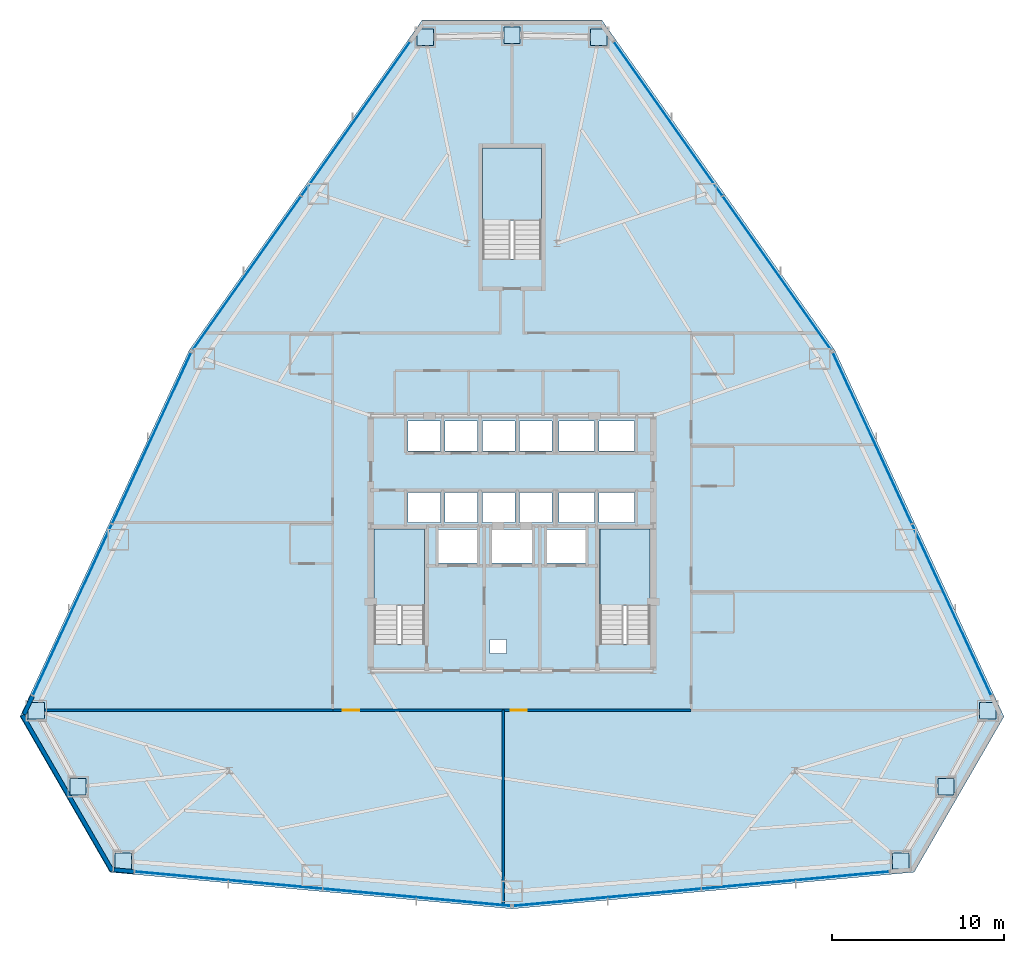
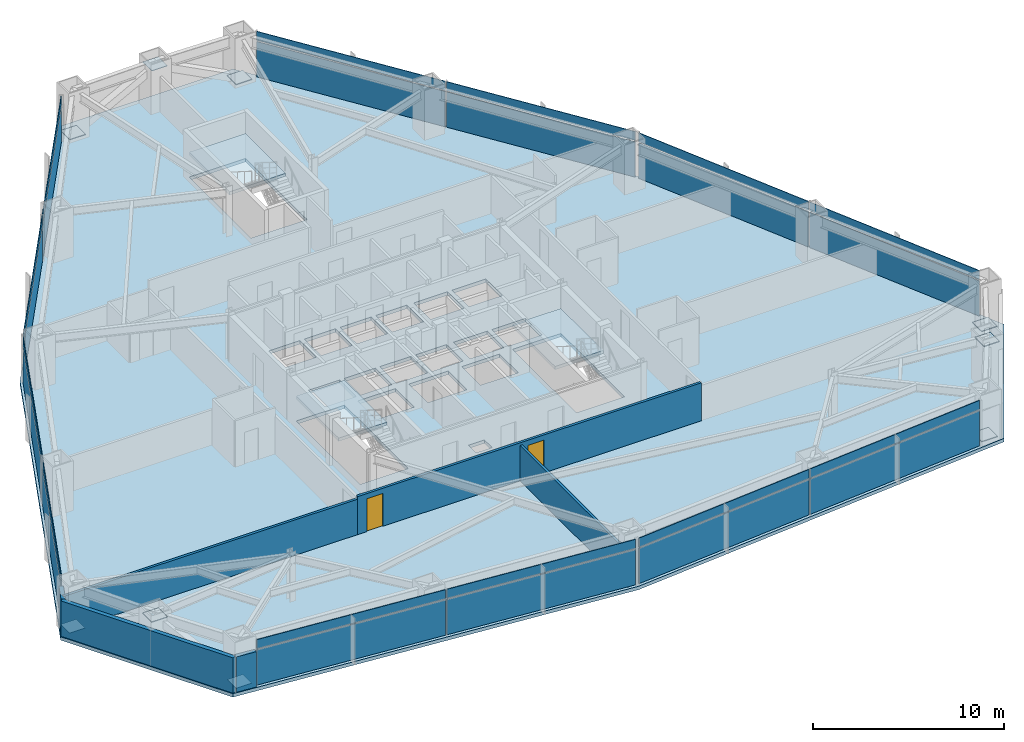
# One storey, part 8 of 12: 33 plates, 6 walls, 4 slabs, 2 doors, 2 openings, 9 elements without a shape of their own.
"""IFC4 building model written with IfcOpenShell, lengths in metres."""

from ifc_helpers import new_model, si_unit, direction, frame, frame_2d, origin, origin_2d, place, context, subcontext, project, spatial, polyline, rectangle, outline, extrude, source, transform, mapped, material, layer, layer_set, type_object, type_shapes, element, fill, aggregate, save


model = new_model("IFC4")

# Units and contexts
model_context = context("Model", 3, precision=1e-05, world=origin(), true_north=direction((0.0, 1.0)))
body_context = subcontext(model_context, "Body", "Model", "MODEL_VIEW")
ifc_project = project(units=[si_unit("LENGTHUNIT", "METRE"), si_unit("AREAUNIT", "SQUARE_METRE"), si_unit("VOLUMEUNIT", "CUBIC_METRE"), si_unit("PLANEANGLEUNIT", "RADIAN"), si_unit("MASSUNIT", "GRAM", prefix="KILO")], contexts=[model_context])

# Site, building, storey
site_placement = place(None, origin())
site = spatial("IfcSite", under=ifc_project, at=site_placement, CompositionType="ELEMENT")
building_placement = place(site_placement, origin())
building = spatial("IfcBuilding", under=site, at=building_placement, Name="Varakhsha Concourse Tower", CompositionType="ELEMENT")
storey_placement = place(building_placement, frame((0.0, 0.0, 40.0)))
storey = spatial("IfcBuildingStorey", under=building, at=storey_placement, Name="L10", CompositionType="ELEMENT", Elevation=40.0)

# Slab
ifc_material_1 = material(Name="Concrete fc 45 MPa", Category="concrete")
ifc_layer_1 = layer(ifc_material_1, 0.219970703125, Name="SL-FLR-220")
ifc_layer_set_1 = layer_set([ifc_layer_1], Name="Concrete fc 45 MPa")
slab_type_1 = type_object("IfcSlabType", Name="SL-FLR-220", PredefinedType="FLOOR", material=ifc_layer_set_1)
slab_1_placement = place(storey_placement, frame((0.0, 0.0, -0.219970703125)))
element("IfcSlab", 1, at=slab_1_placement, inside=storey, type_object=slab_type_1, Name="L10 Composite Structural Slab", PredefinedType="FLOOR", context=body_context, shape_type="SweptSolid", body=[
    extrude(outline(polyline([(45.21435546875, 54.168701171875), (34.78564453125, 54.168701171875), (21.268310546875, 35.0146484375), (11.439208984375, 13.7314453125), (16.653564453125, 4.699951171875), (40.0, 2.570556640625), (63.346435546875, 4.699951171875), (68.560791015625, 13.7314453125), (58.731689453125, 35.0146484375), (45.21435546875, 54.168701171875)]), holes=[polyline([(34.919921875, 17.93994140625), (34.919921875, 24.6298828125), (32.0, 24.6298828125), (32.0, 17.93994140625), (34.919921875, 17.93994140625)]), polyline([(48.02001953125, 17.93994140625), (48.02001953125, 24.6298828125), (45.10009765625, 24.6298828125), (45.10009765625, 17.93994140625), (48.02001953125, 17.93994140625)]), polyline([(41.699951171875, 40.300048828125), (41.699951171875, 46.75), (38.300048828125, 46.75), (38.300048828125, 40.300048828125), (41.699951171875, 40.300048828125)]), polyline([(33.9599609375, 29.159912109375), (35.840087890625, 29.159912109375), (35.840087890625, 30.89990234375), (33.9599609375, 30.89990234375), (33.9599609375, 29.159912109375)]), polyline([(36.1201171875, 29.159912109375), (38.0, 29.159912109375), (38.0, 30.89990234375), (36.1201171875, 30.89990234375), (36.1201171875, 29.159912109375)]), polyline([(38.280029296875, 29.159912109375), (40.159912109375, 29.159912109375), (40.159912109375, 30.89990234375), (38.280029296875, 30.89990234375), (38.280029296875, 29.159912109375)]), polyline([(40.43994140625, 29.159912109375), (42.320068359375, 29.159912109375), (42.320068359375, 30.89990234375), (40.43994140625, 30.89990234375), (40.43994140625, 29.159912109375)]), polyline([(33.9599609375, 25.0), (35.840087890625, 25.0), (35.840087890625, 26.739990234375), (33.9599609375, 26.739990234375), (33.9599609375, 25.0)]), polyline([(36.1201171875, 25.0), (38.0, 25.0), (38.0, 26.739990234375), (36.1201171875, 26.739990234375), (36.1201171875, 25.0)]), polyline([(38.280029296875, 25.0), (40.159912109375, 25.0), (40.159912109375, 26.739990234375), (38.280029296875, 26.739990234375), (38.280029296875, 25.0)]), polyline([(40.43994140625, 25.0), (42.320068359375, 25.0), (42.320068359375, 26.739990234375), (40.43994140625, 26.739990234375), (40.43994140625, 25.0)]), polyline([(42.739990234375, 29.159912109375), (44.780029296875, 29.159912109375), (44.780029296875, 30.89990234375), (42.739990234375, 30.89990234375), (42.739990234375, 29.159912109375)]), polyline([(45.06005859375, 29.159912109375), (47.10009765625, 29.159912109375), (47.10009765625, 30.89990234375), (45.06005859375, 30.89990234375), (45.06005859375, 29.159912109375)]), polyline([(42.739990234375, 25.0), (44.780029296875, 25.0), (44.780029296875, 26.739990234375), (42.739990234375, 26.739990234375), (42.739990234375, 25.0)]), polyline([(45.06005859375, 25.0), (47.10009765625, 25.0), (47.10009765625, 26.739990234375), (45.06005859375, 26.739990234375), (45.06005859375, 25.0)]), polyline([(35.7099609375, 22.639892578125), (37.989990234375, 22.639892578125), (37.989990234375, 24.60009765625), (35.7099609375, 24.60009765625), (35.7099609375, 22.639892578125)]), polyline([(42.010009765625, 22.639892578125), (44.2900390625, 22.639892578125), (44.2900390625, 24.60009765625), (42.010009765625, 24.60009765625), (42.010009765625, 22.639892578125)]), polyline([(38.81005859375, 22.639892578125), (41.18994140625, 22.639892578125), (41.18994140625, 24.60009765625), (38.81005859375, 24.60009765625), (38.81005859375, 22.639892578125)]), polyline([(38.719970703125, 17.39990234375), (39.679931640625, 17.39990234375), (39.679931640625, 18.199951171875), (38.719970703125, 18.199951171875), (38.719970703125, 17.39990234375)])]), origin(), (0.0, 0.0, 1.0), 0.219970703125),
])

# Stair, slab
stair_type_1 = type_object("IfcStairType", Name="ST-DOGLEG-1360", PredefinedType="HALF_TURN_STAIR", material=ifc_material_1)
stair_1_placement = place(storey_placement, origin())
stair_1 = element("IfcStair", 2, at=stair_1_placement, inside=storey, type_object=stair_type_1, Name="L10 Protected Exit Stair ST1", PredefinedType="HALF_TURN_STAIR")
ifc_layer_2 = layer(ifc_material_1, 0.199951171875, Name="SL-LAND-200")
ifc_layer_set_2 = layer_set([ifc_layer_2], Name="Concrete fc 45 MPa")
slab_type_2 = type_object("IfcSlabType", Name="SL-LAND-200", PredefinedType="LANDING", material=ifc_layer_set_2)
slab_2_placement = place(storey_placement, frame((0.0, 0.0, 1.39990234375)))
slab_2 = element("IfcSlab", 3, at=slab_2_placement, type_object=slab_type_2, Name="ST1 landing 1", PredefinedType="LANDING", context=body_context, shape_type="SweptSolid", body=[
    extrude(outline(polyline([(34.919921875, 20.179931640625), (34.919921875, 24.6298828125), (32.0, 24.6298828125), (32.0, 20.179931640625), (34.919921875, 20.179931640625)])), origin(), (0.0, 0.0, 1.0), 0.2001953125),
])
aggregate(stair_1, [slab_2])

stair_2_placement = place(storey_placement, origin())
stair_2 = element("IfcStair", 4, at=stair_2_placement, inside=storey, type_object=stair_type_1, Name="L10 Protected Exit Stair ST2", PredefinedType="HALF_TURN_STAIR")
slab_3_placement = place(storey_placement, frame((0.0, 0.0, 1.39990234375)))
slab_3 = element("IfcSlab", 5, at=slab_3_placement, type_object=slab_type_2, Name="ST2 landing 1", PredefinedType="LANDING", context=body_context, shape_type="SweptSolid", body=[
    extrude(outline(polyline([(48.02001953125, 20.179931640625), (48.02001953125, 24.6298828125), (45.10009765625, 24.6298828125), (45.10009765625, 20.179931640625), (48.02001953125, 20.179931640625)])), origin(), (0.0, 0.0, 1.0), 0.2001953125),
])
aggregate(stair_2, [slab_3])

stair_type_2 = type_object("IfcStairType", Name="ST-DOGLEG-1600", PredefinedType="HALF_TURN_STAIR", material=ifc_material_1)
stair_3_placement = place(storey_placement, origin())
stair_3 = element("IfcStair", 6, at=stair_3_placement, inside=storey, type_object=stair_type_2, Name="L10 Protected Exit Stair ST5", PredefinedType="HALF_TURN_STAIR")
slab_4_placement = place(storey_placement, frame((0.0, 0.0, 1.39990234375)))
slab_4 = element("IfcSlab", 7, at=slab_4_placement, type_object=slab_type_2, Name="ST5 landing 1", PredefinedType="LANDING", context=body_context, shape_type="SweptSolid", body=[
    extrude(outline(polyline([(41.699951171875, 42.5400390625), (41.699951171875, 46.75), (38.300048828125, 46.75), (38.300048828125, 42.5400390625), (41.699951171875, 42.5400390625)])), origin(), (0.0, 0.0, 1.0), 0.2001953125),
])
aggregate(stair_3, [slab_4])

# Plates
ifc_material_2 = material(Name="Structural Steel ASTM A572 Grade 50", Category="steel")
ifc_layer_3 = layer(ifc_material_2, 0.030029296875, Name="PL-ENDCAP-950")
ifc_layer_set_3 = layer_set([ifc_layer_3], Name="Structural Steel ASTM A572 Grade 50")
plate_type_1 = type_object("IfcPlateType", Name="PL-ENDCAP-950", PredefinedType="USERDEFINED", material=ifc_layer_set_3)
shared_shape_1 = source(origin(), body_context, "Body", "SweptSolid", [
    extrude(rectangle(XDim=0.949951171875, YDim=0.949951171875, at=origin_2d()), origin(), (0.0, 0.0, 1.0), 0.030029296875),
])
type_shapes(plate_type_1, [shared_shape_1])
for number, where, z_axis, x_axis, name in (
    (8, (45.040771484375, 53.171630859375, 0.10498046875), (0.0, 0.0, 1.0), (1.0, 0.0, 0.0), "Hollow Section End Cap GP-NODE-L10-0052"),
    (9, (40.0, 53.28857421875, 2.6650390625), (0.0, 0.0, 1.0), (1.0, 0.0, 0.0), "Hollow Section End Cap GP-NODE-L10-0053"),
    (10, (34.959228515625, 53.171630859375, 0.10498046875), (0.0, 0.0, 1.0), (1.0, 0.0, 0.0), "Hollow Section End Cap GP-NODE-L10-0054"),
    (11, (12.389404296875, 14.07958984375, 0.10498046875), (0.0, 0.0, 1.0), (1.0, 0.0, 0.0), "Hollow Section End Cap GP-NODE-L10-0055"),
    (12, (14.80859375, 9.65576171875, 2.6650390625), (0.0, 0.0, 1.0), (1.0, 0.0, 0.0), "Hollow Section End Cap GP-NODE-L10-0056"),
    (13, (17.430419921875, 5.3486328125, 0.10498046875), (0.0, 0.0, 1.0), (1.0, 0.0, 0.0), "Hollow Section End Cap GP-NODE-L10-0057"),
    (14, (62.569580078125, 5.3486328125, 0.10498046875), (0.0, 0.0, 1.0), (1.0, 0.0, 0.0), "Hollow Section End Cap GP-NODE-L10-0058"),
    (15, (65.19140625, 9.65576171875, 2.6650390625), (0.0, 0.0, 1.0), (1.0, 0.0, 0.0), "Hollow Section End Cap GP-NODE-L10-0059"),
    (16, (67.610595703125, 14.07958984375, 0.10498046875), (0.0, 0.0, 1.0), (1.0, 0.0, 0.0), "Hollow Section End Cap GP-NODE-L10-0060"),
):
    element("IfcPlate", number, at=place(storey_placement, frame(where, z_axis=z_axis, x_axis=x_axis)), inside=storey, type_object=plate_type_1, Name=name, ObjectType="END PLATE", PredefinedType="USERDEFINED", context=body_context, shape_type="MappedRepresentation", body=[
        mapped(shared_shape_1, transform((0.0, 0.0, 0.0), scale=1.0)),
    ])

# Curtain wall, plates
ifc_material_3 = material(Name="Anodised Bronze Architectural Aluminium AA 6063-T6", Category="aluminium")
ifc_layer_4 = layer(ifc_material_3, 0.219970703125, Name="CW-SYS-02")
ifc_layer_set_4 = layer_set([ifc_layer_4], Name="Anodised Bronze Architectural Aluminium AA 6063-T6")
curtain_wall_type = type_object("IfcCurtainWallType", Name="CW-SYS-02", PredefinedType="NOTDEFINED", material=ifc_layer_set_4)
curtain_wall_1_placement = place(storey_placement, origin())
curtain_wall_1 = element("IfcCurtainWall", 17, at=curtain_wall_1_placement, inside=storey, type_object=curtain_wall_type, Name="L10 Crystal Curtain Wall F2", PredefinedType="NOTDEFINED")
ifc_material_4 = material(Name="Low-E Triple Insulating Glass IGU 44 mm", Category="glass")
ifc_layer_5 = layer(ifc_material_4, 0.0439453125, Name="CWP-IGU-44")
ifc_layer_set_5 = layer_set([ifc_layer_5], Name="Low-E Triple Insulating Glass IGU 44 mm")
plate_type_2 = type_object("IfcPlateType", Name="CWP-IGU-44", PredefinedType="CURTAIN_PANEL", material=ifc_layer_set_5)
shared_shape_2 = source(origin(), body_context, "Body", "SweptSolid", [
    extrude(rectangle(XDim=10.892578125, YDim=0.0439453125, at=origin_2d()), origin(), (0.0, 0.0, 1.0), 2.260986328125),
])
type_shapes(plate_type_2, [shared_shape_2])
plate_1_placement = place(storey_placement, frame((24.6083984375, 39.469970703125, 0.03466796875), z_axis=(0.0, 0.0, 1.0), x_axis=(0.576593464077, 0.817031197191, 0.0)))
plate_1 = element("IfcPlate", 18, at=plate_1_placement, type_object=plate_type_2, Name="CW-L10-F2 Panel 00-00", PredefinedType="CURTAIN_PANEL", context=body_context, shape_type="MappedRepresentation", body=[
    mapped(shared_shape_2, transform((0.0, 0.0, 0.0), scale=1.0)),
])
plate_2_placement = place(storey_placement, frame((30.9345703125, 48.43408203125, 0.03466796875), z_axis=(0.0, 0.0, 1.0), x_axis=(0.576593464077, 0.817031197191, 0.0)))
plate_2 = element("IfcPlate", 19, at=plate_2_placement, type_object=plate_type_2, Name="CW-L10-F2 Panel 01-00", PredefinedType="CURTAIN_PANEL", context=body_context, shape_type="MappedRepresentation", body=[
    mapped(shared_shape_2, transform((0.0, 0.0, 0.0), scale=1.0)),
])

curtain_wall_2_placement = place(storey_placement, origin())
curtain_wall_2 = element("IfcCurtainWall", 20, at=curtain_wall_2_placement, inside=storey, type_object=curtain_wall_type, Name="L10 Crystal Curtain Wall F3", PredefinedType="NOTDEFINED")
plate_3_placement = place(storey_placement, frame((14.47998046875, 19.933837890625, 0.03466796875), z_axis=(0.0, 0.0, 1.0), x_axis=(0.419269871381, 0.907861649676, 0.0)))
plate_3 = element("IfcPlate", 21, at=plate_3_placement, type_object=plate_type_2, Name="CW-L10-F3 Panel 00-00", PredefinedType="CURTAIN_PANEL", context=body_context, shape_type="MappedRepresentation", body=[
    mapped(shared_shape_2, transform((0.0, 0.0, 0.0), scale=1.0)),
])
plate_4_placement = place(storey_placement, frame((19.080078125, 29.89453125, 0.03466796875), z_axis=(0.0, 0.0, 1.0), x_axis=(0.419269871381, 0.907861649676, 0.0)))
plate_4 = element("IfcPlate", 22, at=plate_4_placement, type_object=plate_type_2, Name="CW-L10-F3 Panel 01-00", PredefinedType="CURTAIN_PANEL", context=body_context, shape_type="MappedRepresentation", body=[
    mapped(shared_shape_2, transform((0.0, 0.0, 0.0), scale=1.0)),
])

curtain_wall_3_placement = place(storey_placement, origin())
curtain_wall_3 = element("IfcCurtainWall", 23, at=curtain_wall_3_placement, inside=storey, type_object=curtain_wall_type, Name="L10 Crystal Curtain Wall F5", PredefinedType="NOTDEFINED")
plate_5_placement = place(storey_placement, frame((34.4716796875, 3.235595703125, 0.03466796875), z_axis=(0.0, 0.0, 1.0), x_axis=(-0.995866028897, 0.090834203295, 0.0)))
plate_5 = element("IfcPlate", 24, at=plate_5_placement, type_object=plate_type_2, Name="CW-L10-F5 Panel 00-00", PredefinedType="CURTAIN_PANEL", context=body_context, shape_type="MappedRepresentation", body=[
    mapped(shared_shape_2, transform((0.0, 0.0, 0.0), scale=1.0)),
])
plate_6_placement = place(storey_placement, frame((23.54541015625, 4.232177734375, 0.03466796875), z_axis=(0.0, 0.0, 1.0), x_axis=(-0.995866028897, 0.090834203295, 0.0)))
plate_6 = element("IfcPlate", 25, at=plate_6_placement, type_object=plate_type_2, Name="CW-L10-F5 Panel 01-00", PredefinedType="CURTAIN_PANEL", context=body_context, shape_type="MappedRepresentation", body=[
    mapped(shared_shape_2, transform((0.0, 0.0, 0.0), scale=1.0)),
])

curtain_wall_4_placement = place(storey_placement, origin())
curtain_wall_4 = element("IfcCurtainWall", 26, at=curtain_wall_4_placement, inside=storey, type_object=curtain_wall_type, Name="L10 Crystal Curtain Wall F6", PredefinedType="NOTDEFINED")
plate_7_placement = place(storey_placement, frame((56.45458984375, 4.232177734375, 0.03466796875), z_axis=(0.0, 0.0, 1.0), x_axis=(-0.995866028897, -0.090834203295, 0.0)))
plate_7 = element("IfcPlate", 27, at=plate_7_placement, type_object=plate_type_2, Name="CW-L10-F6 Panel 00-00", PredefinedType="CURTAIN_PANEL", context=body_context, shape_type="MappedRepresentation", body=[
    mapped(shared_shape_2, transform((0.0, 0.0, 0.0), scale=1.0)),
])
plate_8_placement = place(storey_placement, frame((45.5283203125, 3.235595703125, 0.03466796875), z_axis=(0.0, 0.0, 1.0), x_axis=(-0.995866028897, -0.090834203295, 0.0)))
plate_8 = element("IfcPlate", 28, at=plate_8_placement, type_object=plate_type_2, Name="CW-L10-F6 Panel 01-00", PredefinedType="CURTAIN_PANEL", context=body_context, shape_type="MappedRepresentation", body=[
    mapped(shared_shape_2, transform((0.0, 0.0, 0.0), scale=1.0)),
])

curtain_wall_5_placement = place(storey_placement, origin())
curtain_wall_5 = element("IfcCurtainWall", 29, at=curtain_wall_5_placement, inside=storey, type_object=curtain_wall_type, Name="L10 Crystal Curtain Wall F8", PredefinedType="NOTDEFINED")
plate_9_placement = place(storey_placement, frame((60.919921875, 29.89453125, 0.03466796875), z_axis=(0.0, 0.0, 1.0), x_axis=(0.419269871381, -0.907861649676, 0.0)))
plate_9 = element("IfcPlate", 30, at=plate_9_placement, type_object=plate_type_2, Name="CW-L10-F8 Panel 00-00", PredefinedType="CURTAIN_PANEL", context=body_context, shape_type="MappedRepresentation", body=[
    mapped(shared_shape_2, transform((0.0, 0.0, 0.0), scale=1.0)),
])
plate_10_placement = place(storey_placement, frame((65.52001953125, 19.933837890625, 0.03466796875), z_axis=(0.0, 0.0, 1.0), x_axis=(0.419269871381, -0.907861649676, 0.0)))
plate_10 = element("IfcPlate", 31, at=plate_10_placement, type_object=plate_type_2, Name="CW-L10-F8 Panel 01-00", PredefinedType="CURTAIN_PANEL", context=body_context, shape_type="MappedRepresentation", body=[
    mapped(shared_shape_2, transform((0.0, 0.0, 0.0), scale=1.0)),
])

curtain_wall_6_placement = place(storey_placement, origin())
curtain_wall_6 = element("IfcCurtainWall", 32, at=curtain_wall_6_placement, inside=storey, type_object=curtain_wall_type, Name="L10 Crystal Curtain Wall F9", PredefinedType="NOTDEFINED")
plate_11_placement = place(storey_placement, frame((49.0654296875, 48.43408203125, 0.03466796875), z_axis=(0.0, 0.0, 1.0), x_axis=(0.576593464077, -0.817031197191, 0.0)))
plate_11 = element("IfcPlate", 33, at=plate_11_placement, type_object=plate_type_2, Name="CW-L10-F9 Panel 00-00", PredefinedType="CURTAIN_PANEL", context=body_context, shape_type="MappedRepresentation", body=[
    mapped(shared_shape_2, transform((0.0, 0.0, 0.0), scale=1.0)),
])
plate_12_placement = place(storey_placement, frame((55.3916015625, 39.469970703125, 0.03466796875), z_axis=(0.0, 0.0, 1.0), x_axis=(0.576593464077, -0.817031197191, 0.0)))
plate_12 = element("IfcPlate", 34, at=plate_12_placement, type_object=plate_type_2, Name="CW-L10-F9 Panel 01-00", PredefinedType="CURTAIN_PANEL", context=body_context, shape_type="MappedRepresentation", body=[
    mapped(shared_shape_2, transform((0.0, 0.0, 0.0), scale=1.0)),
])

# Plate
ifc_material_5 = material(Name="Glazed Turquoise-Bronze Ceramic Spandrel Panel 38 mm", Category="ceramic")
ifc_layer_6 = layer(ifc_material_5, 0.0380859375, Name="CWP-SPN-38")
ifc_layer_set_6 = layer_set([ifc_layer_6], Name="Glazed Turquoise-Bronze Ceramic Spandrel Panel 38 mm")
plate_type_3 = type_object("IfcPlateType", Name="CWP-SPN-38", PredefinedType="USERDEFINED", material=ifc_layer_set_6)
shared_shape_3 = source(origin(), body_context, "Body", "SweptSolid", [
    extrude(rectangle(XDim=10.892578125, YDim=0.0380859375, at=origin_2d()), origin(), (0.0, 0.0, 1.0), 0.5810546875),
])
type_shapes(plate_type_3, [shared_shape_3])
plate_13_placement = place(storey_placement, frame((24.6083984375, 39.469970703125, 2.364501953125), z_axis=(0.0, 0.0, 1.0), x_axis=(0.576593464077, 0.817031197191, 0.0)))
plate_13 = element("IfcPlate", 35, at=plate_13_placement, type_object=plate_type_3, Name="CW-L10-F2 Panel 00-01", ObjectType="SPANDREL", PredefinedType="USERDEFINED", context=body_context, shape_type="MappedRepresentation", body=[
    mapped(shared_shape_3, transform((0.0, 0.0, 0.0), scale=1.0)),
])

plate_14_placement = place(storey_placement, frame((30.9345703125, 48.43408203125, 2.364501953125), z_axis=(0.0, 0.0, 1.0), x_axis=(0.576593464077, 0.817031197191, 0.0)))
plate_14 = element("IfcPlate", 36, at=plate_14_placement, type_object=plate_type_3, Name="CW-L10-F2 Panel 01-01", ObjectType="SPANDREL", PredefinedType="USERDEFINED", context=body_context, shape_type="MappedRepresentation", body=[
    mapped(shared_shape_3, transform((0.0, 0.0, 0.0), scale=1.0)),
])

aggregate(curtain_wall_1, [plate_1, plate_13, plate_2, plate_14])

plate_15_placement = place(storey_placement, frame((14.47998046875, 19.933837890625, 2.364501953125), z_axis=(0.0, 0.0, 1.0), x_axis=(0.419269871381, 0.907861649676, 0.0)))
plate_15 = element("IfcPlate", 37, at=plate_15_placement, type_object=plate_type_3, Name="CW-L10-F3 Panel 00-01", ObjectType="SPANDREL", PredefinedType="USERDEFINED", context=body_context, shape_type="MappedRepresentation", body=[
    mapped(shared_shape_3, transform((0.0, 0.0, 0.0), scale=1.0)),
])

plate_16_placement = place(storey_placement, frame((19.080078125, 29.89453125, 2.364501953125), z_axis=(0.0, 0.0, 1.0), x_axis=(0.419269871381, 0.907861649676, 0.0)))
plate_16 = element("IfcPlate", 38, at=plate_16_placement, type_object=plate_type_3, Name="CW-L10-F3 Panel 01-01", ObjectType="SPANDREL", PredefinedType="USERDEFINED", context=body_context, shape_type="MappedRepresentation", body=[
    mapped(shared_shape_3, transform((0.0, 0.0, 0.0), scale=1.0)),
])

aggregate(curtain_wall_2, [plate_3, plate_15, plate_4, plate_16])

plate_17_placement = place(storey_placement, frame((34.4716796875, 3.235595703125, 2.364501953125), z_axis=(0.0, 0.0, 1.0), x_axis=(-0.995866028897, 0.090834203295, 0.0)))
plate_17 = element("IfcPlate", 39, at=plate_17_placement, type_object=plate_type_3, Name="CW-L10-F5 Panel 00-01", ObjectType="SPANDREL", PredefinedType="USERDEFINED", context=body_context, shape_type="MappedRepresentation", body=[
    mapped(shared_shape_3, transform((0.0, 0.0, 0.0), scale=1.0)),
])

plate_18_placement = place(storey_placement, frame((23.54541015625, 4.232177734375, 2.364501953125), z_axis=(0.0, 0.0, 1.0), x_axis=(-0.995866028897, 0.090834203295, 0.0)))
plate_18 = element("IfcPlate", 40, at=plate_18_placement, type_object=plate_type_3, Name="CW-L10-F5 Panel 01-01", ObjectType="SPANDREL", PredefinedType="USERDEFINED", context=body_context, shape_type="MappedRepresentation", body=[
    mapped(shared_shape_3, transform((0.0, 0.0, 0.0), scale=1.0)),
])

aggregate(curtain_wall_3, [plate_5, plate_17, plate_6, plate_18])

plate_19_placement = place(storey_placement, frame((56.45458984375, 4.232177734375, 2.364501953125), z_axis=(0.0, 0.0, 1.0), x_axis=(-0.995866028897, -0.090834203295, 0.0)))
plate_19 = element("IfcPlate", 41, at=plate_19_placement, type_object=plate_type_3, Name="CW-L10-F6 Panel 00-01", ObjectType="SPANDREL", PredefinedType="USERDEFINED", context=body_context, shape_type="MappedRepresentation", body=[
    mapped(shared_shape_3, transform((0.0, 0.0, 0.0), scale=1.0)),
])

plate_20_placement = place(storey_placement, frame((45.5283203125, 3.235595703125, 2.364501953125), z_axis=(0.0, 0.0, 1.0), x_axis=(-0.995866028897, -0.090834203295, 0.0)))
plate_20 = element("IfcPlate", 42, at=plate_20_placement, type_object=plate_type_3, Name="CW-L10-F6 Panel 01-01", ObjectType="SPANDREL", PredefinedType="USERDEFINED", context=body_context, shape_type="MappedRepresentation", body=[
    mapped(shared_shape_3, transform((0.0, 0.0, 0.0), scale=1.0)),
])

aggregate(curtain_wall_4, [plate_7, plate_19, plate_8, plate_20])

plate_21_placement = place(storey_placement, frame((60.919921875, 29.89453125, 2.364501953125), z_axis=(0.0, 0.0, 1.0), x_axis=(0.419269871381, -0.907861649676, 0.0)))
plate_21 = element("IfcPlate", 43, at=plate_21_placement, type_object=plate_type_3, Name="CW-L10-F8 Panel 00-01", ObjectType="SPANDREL", PredefinedType="USERDEFINED", context=body_context, shape_type="MappedRepresentation", body=[
    mapped(shared_shape_3, transform((0.0, 0.0, 0.0), scale=1.0)),
])

plate_22_placement = place(storey_placement, frame((65.52001953125, 19.933837890625, 2.364501953125), z_axis=(0.0, 0.0, 1.0), x_axis=(0.419269871381, -0.907861649676, 0.0)))
plate_22 = element("IfcPlate", 44, at=plate_22_placement, type_object=plate_type_3, Name="CW-L10-F8 Panel 01-01", ObjectType="SPANDREL", PredefinedType="USERDEFINED", context=body_context, shape_type="MappedRepresentation", body=[
    mapped(shared_shape_3, transform((0.0, 0.0, 0.0), scale=1.0)),
])

aggregate(curtain_wall_5, [plate_9, plate_21, plate_10, plate_22])

plate_23_placement = place(storey_placement, frame((49.0654296875, 48.43408203125, 2.364501953125), z_axis=(0.0, 0.0, 1.0), x_axis=(0.576593464077, -0.817031197191, 0.0)))
plate_23 = element("IfcPlate", 45, at=plate_23_placement, type_object=plate_type_3, Name="CW-L10-F9 Panel 00-01", ObjectType="SPANDREL", PredefinedType="USERDEFINED", context=body_context, shape_type="MappedRepresentation", body=[
    mapped(shared_shape_3, transform((0.0, 0.0, 0.0), scale=1.0)),
])

plate_24_placement = place(storey_placement, frame((55.3916015625, 39.469970703125, 2.364501953125), z_axis=(0.0, 0.0, 1.0), x_axis=(0.576593464077, -0.817031197191, 0.0)))
plate_24 = element("IfcPlate", 46, at=plate_24_placement, type_object=plate_type_3, Name="CW-L10-F9 Panel 01-01", ObjectType="SPANDREL", PredefinedType="USERDEFINED", context=body_context, shape_type="MappedRepresentation", body=[
    mapped(shared_shape_3, transform((0.0, 0.0, 0.0), scale=1.0)),
])

aggregate(curtain_wall_6, [plate_11, plate_23, plate_12, plate_24])

# Walls
ifc_layer_7 = layer(ifc_material_1, 0.239990234375, Name="WL-EXT-CRN-240")
ifc_layer_set_7 = layer_set([ifc_layer_7], Name="Concrete fc 45 MPa")
wall_type_1 = type_object("IfcWallType", Name="WL-EXT-CRN-240", PredefinedType="SHEAR", material=ifc_layer_set_7)
wall_1_placement = place(storey_placement, frame((12.164306640625, 14.91943359375, 0.0), z_axis=(0.0, 0.0, 1.0), x_axis=(-0.419364442242, -0.907817968859, 0.0)))
element("IfcWall", 47, at=wall_1_placement, inside=storey, type_object=wall_type_1, Name="L10 Wind-Corner Shoulder Wall F3", PredefinedType="SHEAR", context=body_context, shape_type="SweptSolid", body=[
    extrude(rectangle(XDim=1.16259765625, YDim=0.239990234375, at=frame_2d((0.581298828125, 0.0))), origin(), (0.0, 0.0, 1.0), 2.262939453125),
])
wall_2_placement = place(storey_placement, frame((16.792236328125, 4.780029296875, 0.0), z_axis=(0.0, 0.0, 1.0), x_axis=(-0.500011568057, 0.866018724861, 0.0)))
element("IfcWall", 48, at=wall_2_placement, inside=storey, type_object=wall_type_1, Name="L10 Chamfer Wind-Corner Insulated Wall F4", PredefinedType="SHEAR", context=body_context, shape_type="SweptSolid", body=[
    extrude(rectangle(XDim=10.428466796875, YDim=0.239990234375, at=frame_2d((5.21435546875, 0.0))), origin(), (0.0, 0.0, 1.0), 2.262939453125),
])
wall_3_placement = place(storey_placement, frame((16.88720703125, 4.83935546875, 0.0), z_axis=(0.0, 0.0, 1.0), x_axis=(0.995875974384, -0.090725099311, 0.0)))
element("IfcWall", 49, at=wall_3_placement, inside=storey, type_object=wall_type_1, Name="L10 Wind-Corner Shoulder Wall F5", PredefinedType="SHEAR", context=body_context, shape_type="SweptSolid", body=[
    extrude(rectangle(XDim=1.16259765625, YDim=0.239990234375, at=frame_2d((0.581298828125, 0.0))), origin(), (0.0, 0.0, 1.0), 2.262939453125),
])

# Wall, openings, doors
ifc_material_6 = material(Name="Fire-Rated Type X Gypsum Partition Assembly", Category="gypsum")
ifc_layer_8 = layer(ifc_material_6, 0.14990234375, Name="WL-PART-150")
ifc_layer_set_8 = layer_set([ifc_layer_8], Name="Fire-Rated Type X Gypsum Partition Assembly")
wall_type_2 = type_object("IfcWallType", Name="WL-PART-150", PredefinedType="PARTITIONING", material=ifc_layer_set_8)
wall_4_placement = place(storey_placement, frame((29.60009765625, 14.10009765625, 0.0), z_axis=(0.0, 0.0, 1.0), x_axis=(1.0, 0.0, 0.0)))
wall_4 = element("IfcWall", 50, at=wall_4_placement, inside=storey, type_object=wall_type_2, Name="L10 Wall CRW-S-L10", PredefinedType="PARTITIONING", context=body_context, shape_type="SweptSolid", body=[
    extrude(rectangle(XDim=20.7998046875, YDim=0.14990234375, at=frame_2d((10.39990234375, 0.0))), origin(), (0.0, 0.0, 1.0), 2.430908203125),
])
opening_1_placement = place(wall_4_placement, frame((0.570068359375, 0.0, 0.0)))
opening_1 = element("IfcOpeningElement", 51, at=opening_1_placement, cuts=wall_4, Name="Opening DF-05", PredefinedType="OPENING", context=body_context, shape_type="SweptSolid", body=[
    extrude(rectangle(XDim=0.949951171875, YDim=2.10009765625, at=frame_2d((0.47509765625, 1.050048828125))), frame((0.0, 0.0849609375, 0.0), z_axis=(0.0, -1.0, 0.0), x_axis=(1.0, 0.0, 0.0)), (0.0, 0.0, 1.0), 0.169921875),
])
opening_2_placement = place(wall_4_placement, frame((10.320068359375, 0.0, 0.0)))
opening_2 = element("IfcOpeningElement", 52, at=opening_2_placement, cuts=wall_4, Name="Opening DF-05", PredefinedType="OPENING", context=body_context, shape_type="SweptSolid", body=[
    extrude(rectangle(XDim=0.949951171875, YDim=2.10009765625, at=frame_2d((0.47509765625, 1.050048828125))), frame((0.0, 0.0849609375, 0.0), z_axis=(0.0, -1.0, 0.0), x_axis=(1.0, 0.0, 0.0)), (0.0, 0.0, 1.0), 0.169921875),
])
ifc_material_7 = material(Name="Hollow Galvanised Steel Fire Door Assembly", Category="steel")
door_type = type_object("IfcDoorType", Name="DR-FD60-950", OperationType="NOTDEFINED", PredefinedType="DOOR", material=ifc_material_7)
door_1_placement = place(opening_1_placement, origin())
door_1 = element("IfcDoor", 53, at=door_1_placement, inside=storey, type_object=door_type, Name="L10 Hotel Executive Salon L10-H01 Door", OperationType="SINGLE_SWING_LEFT", OverallHeight=2.10009765625, OverallWidth=0.949951171875, PredefinedType="DOOR", context=body_context, shape_type="SweptSolid", body=[
    extrude(rectangle(XDim=0.949951171875, YDim=2.10009765625, at=frame_2d((0.47509765625, 1.050048828125))), frame((0.0, 0.02490234375, 0.0), z_axis=(0.0, -1.0, 0.0), x_axis=(1.0, 0.0, 0.0)), (0.0, 0.0, 1.0), 0.050048828125),
])
fill(opening_1, door_1)
door_2_placement = place(opening_2_placement, origin())
door_2 = element("IfcDoor", 54, at=door_2_placement, inside=storey, type_object=door_type, Name="L10 Hotel Spa and Wellness Salon L10-H02 Door", OperationType="SINGLE_SWING_RIGHT", OverallHeight=2.10009765625, OverallWidth=0.949951171875, PredefinedType="DOOR", context=body_context, shape_type="SweptSolid", body=[
    extrude(rectangle(XDim=0.949951171875, YDim=2.10009765625, at=frame_2d((0.47509765625, 1.050048828125))), frame((0.0, 0.02490234375, 0.0), z_axis=(0.0, -1.0, 0.0), x_axis=(1.0, 0.0, 0.0)), (0.0, 0.0, 1.0), 0.050048828125),
])
fill(opening_2, door_2)

# Walls
wall_5_placement = place(storey_placement, frame((39.5, 2.781982421875, 0.0), z_axis=(0.0, 0.0, 1.0), x_axis=(0.0, 1.0, 0.0)))
element("IfcWall", 55, at=wall_5_placement, inside=storey, type_object=wall_type_2, Name="L10 Wall HDIV-S1-L10", PredefinedType="PARTITIONING", context=body_context, shape_type="SweptSolid", body=[
    extrude(rectangle(XDim=11.318115234375, YDim=0.14990234375, at=frame_2d((5.6591796875, 0.0))), origin(), (0.0, 0.0, 1.0), 2.26806640625),
])
wall_6_placement = place(storey_placement, frame((11.791259765625, 14.10009765625, 0.0), z_axis=(0.0, 0.0, 1.0), x_axis=(1.0, 0.0, 0.0)))
element("IfcWall", 56, at=wall_6_placement, inside=storey, type_object=wall_type_2, Name="L10 Wall HDIV-WB0-L10", PredefinedType="PARTITIONING", context=body_context, shape_type="SweptSolid", body=[
    extrude(rectangle(XDim=17.808837890625, YDim=0.14990234375, at=frame_2d((8.904296875, 0.0))), origin(), (0.0, 0.0, 1.0), 2.26806640625),
])

save(model, "model.ifc")
